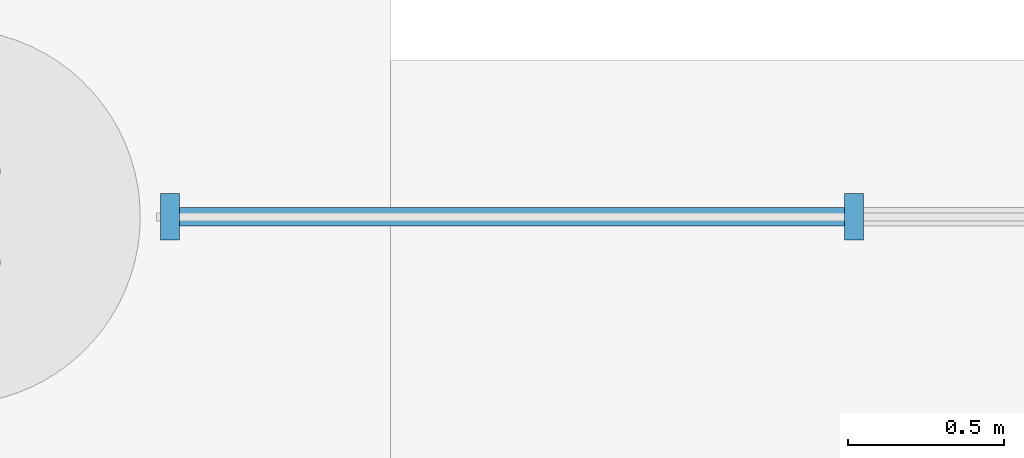
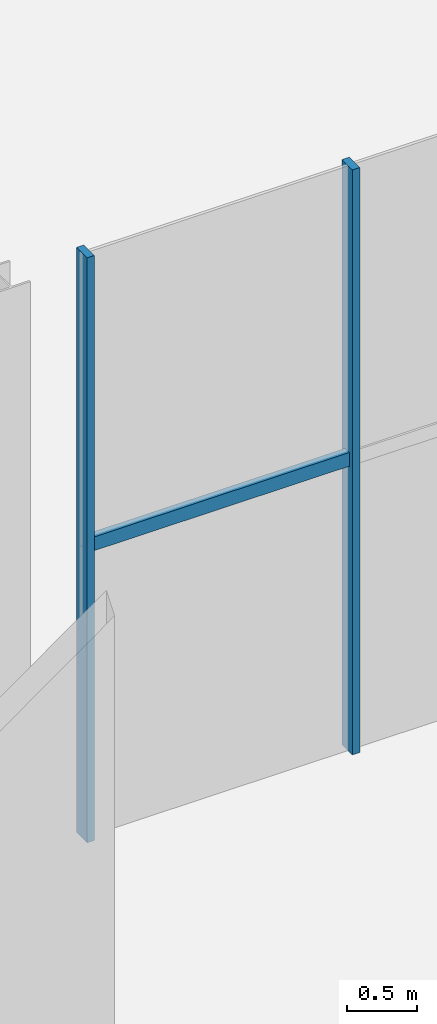
# One storey, part 50 of 87: 3 members, 1 element without a shape of its own.
"""IFC4 building model written with IfcOpenShell, lengths in metres."""

from ifc_helpers import new_model, si_unit, direction, frame, origin, origin_2d, place, context, subcontext, project, spatial, rectangle, extrude, material, material_profile, profile_set, type_object, element, aggregate, save


model = new_model("IFC4")

# Units and contexts
model_context = context("Model", 3, precision=1e-05, world=origin(), true_north=direction((0.0, 1.0)))
body_context = subcontext(model_context, "Body", "Model", "MODEL_VIEW")
ifc_project = project(units=[si_unit("LENGTHUNIT", "METRE"), si_unit("AREAUNIT", "SQUARE_METRE"), si_unit("VOLUMEUNIT", "CUBIC_METRE"), si_unit("PLANEANGLEUNIT", "RADIAN"), si_unit("MASSUNIT", "GRAM", prefix="KILO")], contexts=[model_context])

# Site, building, storey
site_placement = place(None, origin())
site = spatial("IfcSite", under=ifc_project, at=site_placement, CompositionType="ELEMENT")
building_placement = place(site_placement, origin())
building = spatial("IfcBuilding", under=site, at=building_placement, Name="Brisemont Oceanarium", CompositionType="ELEMENT")
storey_placement = place(building_placement, origin())
storey = spatial("IfcBuildingStorey", under=building, at=storey_placement, Name="L00", CompositionType="ELEMENT", Elevation=0.0)

# Curtain wall, members
ifc_material_1 = material(Name="Anodized Extruded Aluminum 6063-T6", Category="aluminium")
curtain_wall_type = type_object("IfcCurtainWallType", Name="CW-RES-52X41", PredefinedType="NOTDEFINED", material=ifc_material_1)
curtain_wall_placement = place(storey_placement, origin())
curtain_wall = element("IfcCurtainWall", 1, at=curtain_wall_placement, inside=storey, type_object=curtain_wall_type, Name="CW-18 curtain wall CW-V6-CL-L00-01", PredefinedType="NOTDEFINED")
ifc_material_2 = material(Name="Anodized Extruded Aluminum 6063-T6", Category="aluminium")
ifc_material_profile_1 = material_profile(ifc_material_2, rectangle(XDim=0.06005859375, YDim=0.14990234375, at=origin_2d()), Name="CWM-60X150")
ifc_profile_set_1 = profile_set([ifc_material_profile_1], Name="Anodized Extruded Aluminum 6063-T6")
member_type_1 = type_object("IfcMemberType", Name="MEM-CWM-60", PredefinedType="MULLION", material=ifc_profile_set_1)
member_1_placement = place(storey_placement, frame((128.695068359375, 93.5, 0.0), z_axis=(0.0, 0.0, 1.0), x_axis=(1.0, 0.0, 0.0)))
member_1 = element("IfcMember", 2, at=member_1_placement, type_object=member_type_1, Name="CW-V6-CL-L00-01 mullion 1", PredefinedType="MULLION", context=body_context, shape_type="SweptSolid", body=[
    extrude(rectangle(XDim=0.06005859375, YDim=0.14990234375, at=origin_2d()), origin(), (0.0, 0.0, 1.0), 5.10009765625),
])
member_2_placement = place(storey_placement, frame((130.88330078125, 93.5, 0.0), z_axis=(0.0, 0.0, 1.0), x_axis=(1.0, 0.0, 0.0)))
member_2 = element("IfcMember", 3, at=member_2_placement, type_object=member_type_1, Name="CW-V6-CL-L00-01 mullion 2", PredefinedType="MULLION", context=body_context, shape_type="SweptSolid", body=[
    extrude(rectangle(XDim=0.06005859375, YDim=0.14990234375, at=origin_2d()), origin(), (0.0, 0.0, 1.0), 5.10009765625),
])
ifc_material_3 = material(Name="Anodized Extruded Aluminum 6063-T6", Category="aluminium")
ifc_material_profile_2 = material_profile(ifc_material_3, rectangle(XDim=0.06005859375, YDim=0.1201171875, at=origin_2d()), Name="CWT-60X120")
ifc_profile_set_2 = profile_set([ifc_material_profile_2], Name="Anodized Extruded Aluminum 6063-T6")
member_type_2 = type_object("IfcMemberType", Name="MEM-CWT-60", PredefinedType="USERDEFINED", material=ifc_profile_set_2)
member_3_placement = place(storey_placement, frame((128.6650390625, 93.5, 2.550048828125), z_axis=(1.0, 0.0, 0.0), x_axis=(0.0, 1.0, 0.0)))
member_3 = element("IfcMember", 4, at=member_3_placement, type_object=member_type_2, Name="CW-V6-CL-L00-01 transom 1.1", ObjectType="TRANSOM", PredefinedType="USERDEFINED", context=body_context, shape_type="SweptSolid", body=[
    extrude(rectangle(XDim=0.06005859375, YDim=0.1201171875, at=origin_2d()), origin(), (0.0, 0.0, 1.0), 2.203369140625),
])
aggregate(curtain_wall, [member_1, member_2, member_3])

save(model, "model.ifc")
